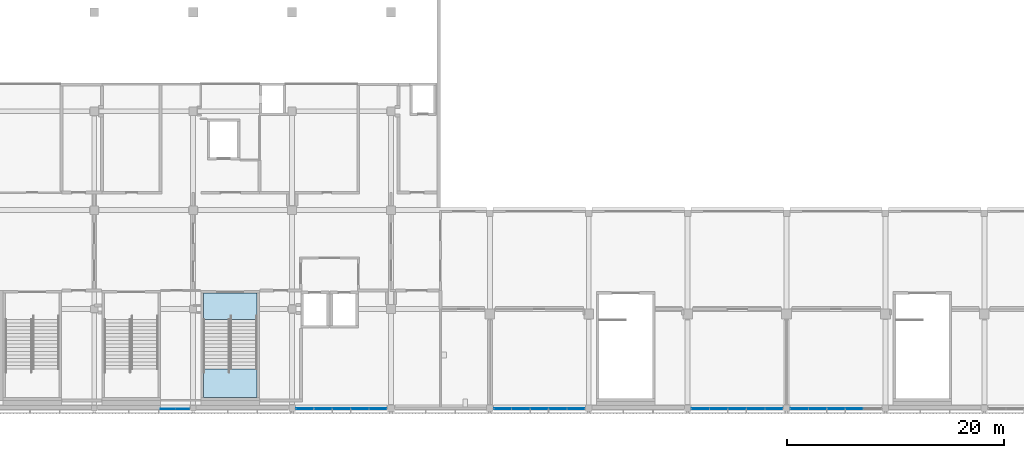
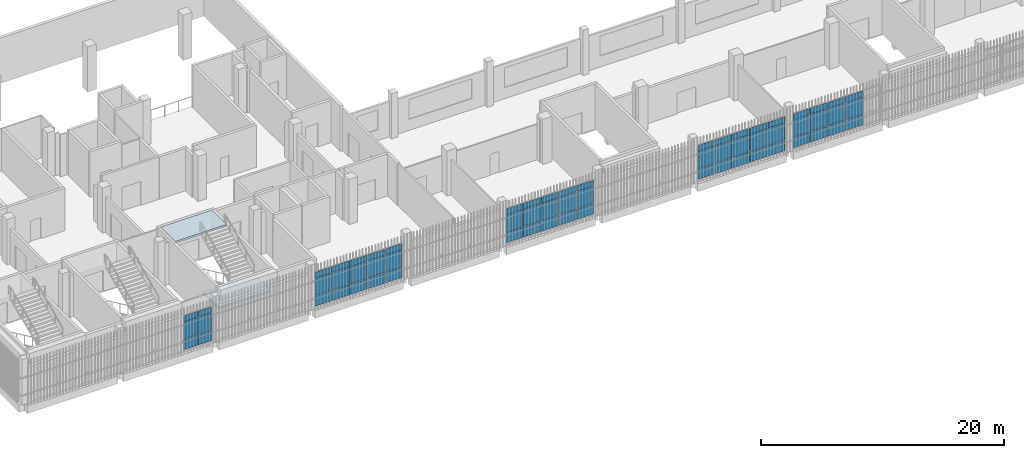
# One storey, part 44 of 104: 63 plates, 2 slabs, 6 elements without a shape of their own.
"""IFC4 building model written with IfcOpenShell, lengths in metres."""

from ifc_helpers import new_model, si_unit, direction, frame, origin, origin_2d, place, context, subcontext, project, spatial, polyline, rectangle, outline, extrude, material, layer, layer_set, type_object, element, aggregate, save


model = new_model("IFC4")

# Units and contexts
model_context = context("Model", 3, precision=1e-05, world=origin(), true_north=direction((0.0, 1.0)))
body_context = subcontext(model_context, "Body", "Model", "MODEL_VIEW")
ifc_project = project(units=[si_unit("LENGTHUNIT", "METRE"), si_unit("AREAUNIT", "SQUARE_METRE"), si_unit("VOLUMEUNIT", "CUBIC_METRE"), si_unit("PLANEANGLEUNIT", "RADIAN"), si_unit("MASSUNIT", "GRAM", prefix="KILO")], contexts=[model_context])

# Site, building, storey
site_placement = place(None, origin())
site = spatial("IfcSite", under=ifc_project, at=site_placement, CompositionType="ELEMENT")
building_placement = place(site_placement, origin())
building = spatial("IfcBuilding", under=site, at=building_placement, Name="Shirokan Park Arena", CompositionType="ELEMENT")
storey_placement = place(building_placement, frame((0.0, 0.0, 10.919921875)))
storey = spatial("IfcBuildingStorey", under=building, at=storey_placement, Name="L02", CompositionType="ELEMENT", Elevation=10.919921875)

# Curtain wall, plates
ifc_material_1 = material(Name="Steel and glass curtain wall", Category="steel")
ifc_layer_1 = layer(ifc_material_1, 0.1201171875)
ifc_layer_set_1 = layer_set([ifc_layer_1], Name="Steel and glass curtain wall 120 mm")
curtain_wall_type_1 = type_object("IfcCurtainWallType", Name="Curtain wall corner block side bay 120", PredefinedType="NOTDEFINED", material=ifc_layer_set_1)
curtain_wall_1_placement = place(storey_placement, origin())
curtain_wall_1 = element("IfcCurtainWall", 1, at=curtain_wall_1_placement, inside=storey, type_object=curtain_wall_type_1, Name="Curtain wall south bay 2 L02", PredefinedType="NOTDEFINED")
ifc_material_2 = material(Name="Aluminium sheet", Category="aluminium")
ifc_layer_2 = layer(ifc_material_2, 0.0029296875, Name="Aluminium sheet")
ifc_material_3 = material(Name="Mineral wool insulation")
ifc_layer_3 = layer(ifc_material_3, 0.053955078125, Name="Mineral wool insulation")
ifc_layer_4 = layer(ifc_material_2, 0.0029296875, Name="Aluminium sheet")
ifc_layer_set_2 = layer_set([ifc_layer_2, ifc_layer_3, ifc_layer_4], Name="Aluminium sheet + Mineral wool insulation")
plate_type_1 = type_object("IfcPlateType", Name="Insulated spandrel panel 60", PredefinedType="CURTAIN_PANEL", material=ifc_layer_set_2)
plate_1_placement = place(storey_placement, frame((15.875, -0.090087890625, 2.8701171875), z_axis=(0.0, 0.0, 1.0), x_axis=(1.0, 0.0, 0.0)))
plate_1 = element("IfcPlate", 2, at=plate_1_placement, type_object=plate_type_1, Name="CW3 panel 1.3", PredefinedType="CURTAIN_PANEL", context=body_context, shape_type="SweptSolid", body=[
    extrude(rectangle(XDim=1.35009765625, YDim=0.06005859375, at=origin_2d()), origin(), (0.0, 0.0, 1.0), 0.590087890625),
])
plate_2_placement = place(storey_placement, frame((17.22509765625, -0.090087890625, 2.8701171875), z_axis=(0.0, 0.0, 1.0), x_axis=(1.0, 0.0, 0.0)))
plate_2 = element("IfcPlate", 3, at=plate_2_placement, type_object=plate_type_1, Name="CW3 panel 2.3", PredefinedType="CURTAIN_PANEL", context=body_context, shape_type="SweptSolid", body=[
    extrude(rectangle(XDim=1.25, YDim=0.06005859375, at=origin_2d()), origin(), (0.0, 0.0, 1.0), 0.590087890625),
])

ifc_layer_5 = layer(ifc_material_1, 0.14990234375)
ifc_layer_set_3 = layer_set([ifc_layer_5], Name="Steel and glass curtain wall 150 mm")
curtain_wall_type_2 = type_object("IfcCurtainWallType", Name="Curtain wall exposed bay 150", PredefinedType="NOTDEFINED", material=ifc_layer_set_3)
curtain_wall_2_placement = place(storey_placement, origin())
curtain_wall_2 = element("IfcCurtainWall", 4, at=curtain_wall_2_placement, inside=storey, type_object=curtain_wall_type_2, Name="Curtain wall south bay 4 L02", PredefinedType="NOTDEFINED")
plate_3_placement = place(storey_placement, frame((28.485107421875, -0.074951171875, 2.8701171875), z_axis=(0.0, 0.0, 1.0), x_axis=(1.0, 0.0, 0.0)))
plate_3 = element("IfcPlate", 5, at=plate_3_placement, type_object=plate_type_1, Name="CW1 panel 1.3", PredefinedType="CURTAIN_PANEL", context=body_context, shape_type="SweptSolid", body=[
    extrude(rectangle(XDim=1.570068359375, YDim=0.06005859375, at=origin_2d()), origin(), (0.0, 0.0, 1.0), 0.590087890625),
])
plate_4_placement = place(storey_placement, frame((30.142578125, -0.074951171875, 2.8701171875), z_axis=(0.0, 0.0, 1.0), x_axis=(1.0, 0.0, 0.0)))
plate_4 = element("IfcPlate", 6, at=plate_4_placement, type_object=plate_type_1, Name="CW1 panel 2.3", PredefinedType="CURTAIN_PANEL", context=body_context, shape_type="SweptSolid", body=[
    extrude(rectangle(XDim=1.64501953125, YDim=0.06005859375, at=origin_2d()), origin(), (0.0, 0.0, 1.0), 0.590087890625),
])
plate_5_placement = place(storey_placement, frame((31.83740234375, -0.074951171875, 2.8701171875), z_axis=(0.0, 0.0, 1.0), x_axis=(1.0, 0.0, 0.0)))
plate_5 = element("IfcPlate", 7, at=plate_5_placement, type_object=plate_type_1, Name="CW1 panel 3.3", PredefinedType="CURTAIN_PANEL", context=body_context, shape_type="SweptSolid", body=[
    extrude(rectangle(XDim=1.64501953125, YDim=0.06005859375, at=origin_2d()), origin(), (0.0, 0.0, 1.0), 0.590087890625),
])
plate_6_placement = place(storey_placement, frame((33.532470703125, -0.074951171875, 2.8701171875), z_axis=(0.0, 0.0, 1.0), x_axis=(1.0, 0.0, 0.0)))
plate_6 = element("IfcPlate", 8, at=plate_6_placement, type_object=plate_type_1, Name="CW1 panel 4.3", PredefinedType="CURTAIN_PANEL", context=body_context, shape_type="SweptSolid", body=[
    extrude(rectangle(XDim=1.64501953125, YDim=0.06005859375, at=origin_2d()), origin(), (0.0, 0.0, 1.0), 0.590087890625),
])
plate_7_placement = place(storey_placement, frame((35.18994140625, -0.074951171875, 2.8701171875), z_axis=(0.0, 0.0, 1.0), x_axis=(1.0, 0.0, 0.0)))
plate_7 = element("IfcPlate", 9, at=plate_7_placement, type_object=plate_type_1, Name="CW1 panel 5.3", PredefinedType="CURTAIN_PANEL", context=body_context, shape_type="SweptSolid", body=[
    extrude(rectangle(XDim=1.570068359375, YDim=0.06005859375, at=origin_2d()), origin(), (0.0, 0.0, 1.0), 0.590087890625),
])

curtain_wall_3_placement = place(storey_placement, origin())
curtain_wall_3 = element("IfcCurtainWall", 10, at=curtain_wall_3_placement, inside=storey, type_object=curtain_wall_type_2, Name="Curtain wall south bay 6 L02", PredefinedType="NOTDEFINED")
plate_8_placement = place(storey_placement, frame((46.6875, -0.074951171875, 2.8701171875), z_axis=(0.0, 0.0, 1.0), x_axis=(1.0, 0.0, 0.0)))
plate_8 = element("IfcPlate", 11, at=plate_8_placement, type_object=plate_type_1, Name="CW1 panel 1.3", PredefinedType="CURTAIN_PANEL", context=body_context, shape_type="SweptSolid", body=[
    extrude(rectangle(XDim=1.574951171875, YDim=0.06005859375, at=origin_2d()), origin(), (0.0, 0.0, 1.0), 0.590087890625),
])
plate_9_placement = place(storey_placement, frame((48.35009765625, -0.074951171875, 2.8701171875), z_axis=(0.0, 0.0, 1.0), x_axis=(1.0, 0.0, 0.0)))
plate_9 = element("IfcPlate", 12, at=plate_9_placement, type_object=plate_type_1, Name="CW1 panel 2.3", PredefinedType="CURTAIN_PANEL", context=body_context, shape_type="SweptSolid", body=[
    extrude(rectangle(XDim=1.64990234375, YDim=0.06005859375, at=origin_2d()), origin(), (0.0, 0.0, 1.0), 0.590087890625),
])
plate_10_placement = place(storey_placement, frame((50.050048828125, -0.074951171875, 2.8701171875), z_axis=(0.0, 0.0, 1.0), x_axis=(1.0, 0.0, 0.0)))
plate_10 = element("IfcPlate", 13, at=plate_10_placement, type_object=plate_type_1, Name="CW1 panel 3.3", PredefinedType="CURTAIN_PANEL", context=body_context, shape_type="SweptSolid", body=[
    extrude(rectangle(XDim=1.64990234375, YDim=0.06005859375, at=origin_2d()), origin(), (0.0, 0.0, 1.0), 0.590087890625),
])
plate_11_placement = place(storey_placement, frame((51.75, -0.074951171875, 2.8701171875), z_axis=(0.0, 0.0, 1.0), x_axis=(1.0, 0.0, 0.0)))
plate_11 = element("IfcPlate", 14, at=plate_11_placement, type_object=plate_type_1, Name="CW1 panel 4.3", PredefinedType="CURTAIN_PANEL", context=body_context, shape_type="SweptSolid", body=[
    extrude(rectangle(XDim=1.64990234375, YDim=0.06005859375, at=origin_2d()), origin(), (0.0, 0.0, 1.0), 0.590087890625),
])
plate_12_placement = place(storey_placement, frame((53.41259765625, -0.074951171875, 2.8701171875), z_axis=(0.0, 0.0, 1.0), x_axis=(1.0, 0.0, 0.0)))
plate_12 = element("IfcPlate", 15, at=plate_12_placement, type_object=plate_type_1, Name="CW1 panel 5.3", PredefinedType="CURTAIN_PANEL", context=body_context, shape_type="SweptSolid", body=[
    extrude(rectangle(XDim=1.574951171875, YDim=0.06005859375, at=origin_2d()), origin(), (0.0, 0.0, 1.0), 0.590087890625),
])

curtain_wall_4_placement = place(storey_placement, origin())
curtain_wall_4 = element("IfcCurtainWall", 16, at=curtain_wall_4_placement, inside=storey, type_object=curtain_wall_type_2, Name="Curtain wall south bay 8 L02", PredefinedType="NOTDEFINED")
plate_13_placement = place(storey_placement, frame((64.887451171875, -0.074951171875, 2.8701171875), z_axis=(0.0, 0.0, 1.0), x_axis=(1.0, 0.0, 0.0)))
plate_13 = element("IfcPlate", 17, at=plate_13_placement, type_object=plate_type_1, Name="CW1 panel 1.3", PredefinedType="CURTAIN_PANEL", context=body_context, shape_type="SweptSolid", body=[
    extrude(rectangle(XDim=1.574951171875, YDim=0.06005859375, at=origin_2d()), origin(), (0.0, 0.0, 1.0), 0.590087890625),
])
plate_14_placement = place(storey_placement, frame((66.550048828125, -0.074951171875, 2.8701171875), z_axis=(0.0, 0.0, 1.0), x_axis=(1.0, 0.0, 0.0)))
plate_14 = element("IfcPlate", 18, at=plate_14_placement, type_object=plate_type_1, Name="CW1 panel 2.3", PredefinedType="CURTAIN_PANEL", context=body_context, shape_type="SweptSolid", body=[
    extrude(rectangle(XDim=1.64990234375, YDim=0.06005859375, at=origin_2d()), origin(), (0.0, 0.0, 1.0), 0.590087890625),
])
plate_15_placement = place(storey_placement, frame((68.25, -0.074951171875, 2.8701171875), z_axis=(0.0, 0.0, 1.0), x_axis=(1.0, 0.0, 0.0)))
plate_15 = element("IfcPlate", 19, at=plate_15_placement, type_object=plate_type_1, Name="CW1 panel 3.3", PredefinedType="CURTAIN_PANEL", context=body_context, shape_type="SweptSolid", body=[
    extrude(rectangle(XDim=1.64990234375, YDim=0.06005859375, at=origin_2d()), origin(), (0.0, 0.0, 1.0), 0.590087890625),
])
plate_16_placement = place(storey_placement, frame((69.949951171875, -0.074951171875, 2.8701171875), z_axis=(0.0, 0.0, 1.0), x_axis=(1.0, 0.0, 0.0)))
plate_16 = element("IfcPlate", 20, at=plate_16_placement, type_object=plate_type_1, Name="CW1 panel 4.3", PredefinedType="CURTAIN_PANEL", context=body_context, shape_type="SweptSolid", body=[
    extrude(rectangle(XDim=1.64990234375, YDim=0.06005859375, at=origin_2d()), origin(), (0.0, 0.0, 1.0), 0.590087890625),
])
plate_17_placement = place(storey_placement, frame((71.612548828125, -0.074951171875, 2.8701171875), z_axis=(0.0, 0.0, 1.0), x_axis=(1.0, 0.0, 0.0)))
plate_17 = element("IfcPlate", 21, at=plate_17_placement, type_object=plate_type_1, Name="CW1 panel 5.3", PredefinedType="CURTAIN_PANEL", context=body_context, shape_type="SweptSolid", body=[
    extrude(rectangle(XDim=1.574951171875, YDim=0.06005859375, at=origin_2d()), origin(), (0.0, 0.0, 1.0), 0.590087890625),
])

curtain_wall_5_placement = place(storey_placement, origin())
curtain_wall_5 = element("IfcCurtainWall", 22, at=curtain_wall_5_placement, inside=storey, type_object=curtain_wall_type_2, Name="Curtain wall south bay 9 L02", PredefinedType="NOTDEFINED")
plate_18_placement = place(storey_placement, frame((73.987548828125, -0.074951171875, 2.8701171875), z_axis=(0.0, 0.0, 1.0), x_axis=(1.0, 0.0, 0.0)))
plate_18 = element("IfcPlate", 23, at=plate_18_placement, type_object=plate_type_1, Name="CW1 panel 1.3", PredefinedType="CURTAIN_PANEL", context=body_context, shape_type="SweptSolid", body=[
    extrude(rectangle(XDim=1.574951171875, YDim=0.06005859375, at=origin_2d()), origin(), (0.0, 0.0, 1.0), 0.590087890625),
])
plate_19_placement = place(storey_placement, frame((75.64990234375, -0.074951171875, 2.8701171875), z_axis=(0.0, 0.0, 1.0), x_axis=(1.0, 0.0, 0.0)))
plate_19 = element("IfcPlate", 24, at=plate_19_placement, type_object=plate_type_1, Name="CW1 panel 2.3", PredefinedType="CURTAIN_PANEL", context=body_context, shape_type="SweptSolid", body=[
    extrude(rectangle(XDim=1.64990234375, YDim=0.06005859375, at=origin_2d()), origin(), (0.0, 0.0, 1.0), 0.590087890625),
])
plate_20_placement = place(storey_placement, frame((77.35009765625, -0.074951171875, 2.8701171875), z_axis=(0.0, 0.0, 1.0), x_axis=(1.0, 0.0, 0.0)))
plate_20 = element("IfcPlate", 25, at=plate_20_placement, type_object=plate_type_1, Name="CW1 panel 3.3", PredefinedType="CURTAIN_PANEL", context=body_context, shape_type="SweptSolid", body=[
    extrude(rectangle(XDim=1.64990234375, YDim=0.06005859375, at=origin_2d()), origin(), (0.0, 0.0, 1.0), 0.590087890625),
])
plate_21_placement = place(storey_placement, frame((79.050048828125, -0.074951171875, 2.8701171875), z_axis=(0.0, 0.0, 1.0), x_axis=(1.0, 0.0, 0.0)))
plate_21 = element("IfcPlate", 26, at=plate_21_placement, type_object=plate_type_1, Name="CW1 panel 4.3", PredefinedType="CURTAIN_PANEL", context=body_context, shape_type="SweptSolid", body=[
    extrude(rectangle(XDim=1.64990234375, YDim=0.06005859375, at=origin_2d()), origin(), (0.0, 0.0, 1.0), 0.590087890625),
])

# Plate
ifc_material_4 = material(Name="Toughened glass", Category="glass")
ifc_layer_6 = layer(ifc_material_4, 0.012939453125, Name="Toughened glass")
ifc_material_5 = material(Name="Interlayer film")
ifc_layer_7 = layer(ifc_material_5, 0.001953125, Name="Interlayer film")
ifc_layer_8 = layer(ifc_material_4, 0.012939453125, Name="Toughened glass")
ifc_layer_set_4 = layer_set([ifc_layer_6, ifc_layer_7, ifc_layer_8], Name="Toughened glass + Interlayer film")
plate_type_2 = type_object("IfcPlateType", Name="Laminated glass panel 28", PredefinedType="CURTAIN_PANEL", material=ifc_layer_set_4)
plate_22_placement = place(storey_placement, frame((15.875, -0.090087890625, 1.1201171875), z_axis=(0.0, 0.0, 1.0), x_axis=(1.0, 0.0, 0.0)))
plate_22 = element("IfcPlate", 27, at=plate_22_placement, type_object=plate_type_2, Name="CW3 panel 1.2", PredefinedType="CURTAIN_PANEL", context=body_context, shape_type="SweptSolid", body=[
    extrude(rectangle(XDim=1.35009765625, YDim=0.028076171875, at=origin_2d()), origin(), (0.0, 0.0, 1.0), 1.7099609375),
])

plate_23_placement = place(storey_placement, frame((17.22509765625, -0.090087890625, 1.1201171875), z_axis=(0.0, 0.0, 1.0), x_axis=(1.0, 0.0, 0.0)))
plate_23 = element("IfcPlate", 28, at=plate_23_placement, type_object=plate_type_2, Name="CW3 panel 2.2", PredefinedType="CURTAIN_PANEL", context=body_context, shape_type="SweptSolid", body=[
    extrude(rectangle(XDim=1.25, YDim=0.028076171875, at=origin_2d()), origin(), (0.0, 0.0, 1.0), 1.7099609375),
])

plate_24_placement = place(storey_placement, frame((28.485107421875, -0.074951171875, 1.1201171875), z_axis=(0.0, 0.0, 1.0), x_axis=(1.0, 0.0, 0.0)))
plate_24 = element("IfcPlate", 29, at=plate_24_placement, type_object=plate_type_2, Name="CW1 panel 1.2", PredefinedType="CURTAIN_PANEL", context=body_context, shape_type="SweptSolid", body=[
    extrude(rectangle(XDim=1.570068359375, YDim=0.028076171875, at=origin_2d()), origin(), (0.0, 0.0, 1.0), 1.7099609375),
])

plate_25_placement = place(storey_placement, frame((30.142578125, -0.074951171875, 1.1201171875), z_axis=(0.0, 0.0, 1.0), x_axis=(1.0, 0.0, 0.0)))
plate_25 = element("IfcPlate", 30, at=plate_25_placement, type_object=plate_type_2, Name="CW1 panel 2.2", PredefinedType="CURTAIN_PANEL", context=body_context, shape_type="SweptSolid", body=[
    extrude(rectangle(XDim=1.64501953125, YDim=0.028076171875, at=origin_2d()), origin(), (0.0, 0.0, 1.0), 1.7099609375),
])

plate_26_placement = place(storey_placement, frame((31.83740234375, -0.074951171875, 1.1201171875), z_axis=(0.0, 0.0, 1.0), x_axis=(1.0, 0.0, 0.0)))
plate_26 = element("IfcPlate", 31, at=plate_26_placement, type_object=plate_type_2, Name="CW1 panel 3.2", PredefinedType="CURTAIN_PANEL", context=body_context, shape_type="SweptSolid", body=[
    extrude(rectangle(XDim=1.64501953125, YDim=0.028076171875, at=origin_2d()), origin(), (0.0, 0.0, 1.0), 1.7099609375),
])

plate_27_placement = place(storey_placement, frame((33.532470703125, -0.074951171875, 1.1201171875), z_axis=(0.0, 0.0, 1.0), x_axis=(1.0, 0.0, 0.0)))
plate_27 = element("IfcPlate", 32, at=plate_27_placement, type_object=plate_type_2, Name="CW1 panel 4.2", PredefinedType="CURTAIN_PANEL", context=body_context, shape_type="SweptSolid", body=[
    extrude(rectangle(XDim=1.64501953125, YDim=0.028076171875, at=origin_2d()), origin(), (0.0, 0.0, 1.0), 1.7099609375),
])

plate_28_placement = place(storey_placement, frame((35.18994140625, -0.074951171875, 1.1201171875), z_axis=(0.0, 0.0, 1.0), x_axis=(1.0, 0.0, 0.0)))
plate_28 = element("IfcPlate", 33, at=plate_28_placement, type_object=plate_type_2, Name="CW1 panel 5.2", PredefinedType="CURTAIN_PANEL", context=body_context, shape_type="SweptSolid", body=[
    extrude(rectangle(XDim=1.570068359375, YDim=0.028076171875, at=origin_2d()), origin(), (0.0, 0.0, 1.0), 1.7099609375),
])

plate_29_placement = place(storey_placement, frame((46.6875, -0.074951171875, 1.1201171875), z_axis=(0.0, 0.0, 1.0), x_axis=(1.0, 0.0, 0.0)))
plate_29 = element("IfcPlate", 34, at=plate_29_placement, type_object=plate_type_2, Name="CW1 panel 1.2", PredefinedType="CURTAIN_PANEL", context=body_context, shape_type="SweptSolid", body=[
    extrude(rectangle(XDim=1.574951171875, YDim=0.028076171875, at=origin_2d()), origin(), (0.0, 0.0, 1.0), 1.7099609375),
])

plate_30_placement = place(storey_placement, frame((48.35009765625, -0.074951171875, 1.1201171875), z_axis=(0.0, 0.0, 1.0), x_axis=(1.0, 0.0, 0.0)))
plate_30 = element("IfcPlate", 35, at=plate_30_placement, type_object=plate_type_2, Name="CW1 panel 2.2", PredefinedType="CURTAIN_PANEL", context=body_context, shape_type="SweptSolid", body=[
    extrude(rectangle(XDim=1.64990234375, YDim=0.028076171875, at=origin_2d()), origin(), (0.0, 0.0, 1.0), 1.7099609375),
])

plate_31_placement = place(storey_placement, frame((50.050048828125, -0.074951171875, 1.1201171875), z_axis=(0.0, 0.0, 1.0), x_axis=(1.0, 0.0, 0.0)))
plate_31 = element("IfcPlate", 36, at=plate_31_placement, type_object=plate_type_2, Name="CW1 panel 3.2", PredefinedType="CURTAIN_PANEL", context=body_context, shape_type="SweptSolid", body=[
    extrude(rectangle(XDim=1.64990234375, YDim=0.028076171875, at=origin_2d()), origin(), (0.0, 0.0, 1.0), 1.7099609375),
])

plate_32_placement = place(storey_placement, frame((51.75, -0.074951171875, 1.1201171875), z_axis=(0.0, 0.0, 1.0), x_axis=(1.0, 0.0, 0.0)))
plate_32 = element("IfcPlate", 37, at=plate_32_placement, type_object=plate_type_2, Name="CW1 panel 4.2", PredefinedType="CURTAIN_PANEL", context=body_context, shape_type="SweptSolid", body=[
    extrude(rectangle(XDim=1.64990234375, YDim=0.028076171875, at=origin_2d()), origin(), (0.0, 0.0, 1.0), 1.7099609375),
])

plate_33_placement = place(storey_placement, frame((53.41259765625, -0.074951171875, 1.1201171875), z_axis=(0.0, 0.0, 1.0), x_axis=(1.0, 0.0, 0.0)))
plate_33 = element("IfcPlate", 38, at=plate_33_placement, type_object=plate_type_2, Name="CW1 panel 5.2", PredefinedType="CURTAIN_PANEL", context=body_context, shape_type="SweptSolid", body=[
    extrude(rectangle(XDim=1.574951171875, YDim=0.028076171875, at=origin_2d()), origin(), (0.0, 0.0, 1.0), 1.7099609375),
])

plate_34_placement = place(storey_placement, frame((64.887451171875, -0.074951171875, 1.1201171875), z_axis=(0.0, 0.0, 1.0), x_axis=(1.0, 0.0, 0.0)))
plate_34 = element("IfcPlate", 39, at=plate_34_placement, type_object=plate_type_2, Name="CW1 panel 1.2", PredefinedType="CURTAIN_PANEL", context=body_context, shape_type="SweptSolid", body=[
    extrude(rectangle(XDim=1.574951171875, YDim=0.028076171875, at=origin_2d()), origin(), (0.0, 0.0, 1.0), 1.7099609375),
])

plate_35_placement = place(storey_placement, frame((66.550048828125, -0.074951171875, 1.1201171875), z_axis=(0.0, 0.0, 1.0), x_axis=(1.0, 0.0, 0.0)))
plate_35 = element("IfcPlate", 40, at=plate_35_placement, type_object=plate_type_2, Name="CW1 panel 2.2", PredefinedType="CURTAIN_PANEL", context=body_context, shape_type="SweptSolid", body=[
    extrude(rectangle(XDim=1.64990234375, YDim=0.028076171875, at=origin_2d()), origin(), (0.0, 0.0, 1.0), 1.7099609375),
])

plate_36_placement = place(storey_placement, frame((68.25, -0.074951171875, 1.1201171875), z_axis=(0.0, 0.0, 1.0), x_axis=(1.0, 0.0, 0.0)))
plate_36 = element("IfcPlate", 41, at=plate_36_placement, type_object=plate_type_2, Name="CW1 panel 3.2", PredefinedType="CURTAIN_PANEL", context=body_context, shape_type="SweptSolid", body=[
    extrude(rectangle(XDim=1.64990234375, YDim=0.028076171875, at=origin_2d()), origin(), (0.0, 0.0, 1.0), 1.7099609375),
])

plate_37_placement = place(storey_placement, frame((69.949951171875, -0.074951171875, 1.1201171875), z_axis=(0.0, 0.0, 1.0), x_axis=(1.0, 0.0, 0.0)))
plate_37 = element("IfcPlate", 42, at=plate_37_placement, type_object=plate_type_2, Name="CW1 panel 4.2", PredefinedType="CURTAIN_PANEL", context=body_context, shape_type="SweptSolid", body=[
    extrude(rectangle(XDim=1.64990234375, YDim=0.028076171875, at=origin_2d()), origin(), (0.0, 0.0, 1.0), 1.7099609375),
])

plate_38_placement = place(storey_placement, frame((71.612548828125, -0.074951171875, 1.1201171875), z_axis=(0.0, 0.0, 1.0), x_axis=(1.0, 0.0, 0.0)))
plate_38 = element("IfcPlate", 43, at=plate_38_placement, type_object=plate_type_2, Name="CW1 panel 5.2", PredefinedType="CURTAIN_PANEL", context=body_context, shape_type="SweptSolid", body=[
    extrude(rectangle(XDim=1.574951171875, YDim=0.028076171875, at=origin_2d()), origin(), (0.0, 0.0, 1.0), 1.7099609375),
])

plate_39_placement = place(storey_placement, frame((73.987548828125, -0.074951171875, 1.1201171875), z_axis=(0.0, 0.0, 1.0), x_axis=(1.0, 0.0, 0.0)))
plate_39 = element("IfcPlate", 44, at=plate_39_placement, type_object=plate_type_2, Name="CW1 panel 1.2", PredefinedType="CURTAIN_PANEL", context=body_context, shape_type="SweptSolid", body=[
    extrude(rectangle(XDim=1.574951171875, YDim=0.028076171875, at=origin_2d()), origin(), (0.0, 0.0, 1.0), 1.7099609375),
])

plate_40_placement = place(storey_placement, frame((75.64990234375, -0.074951171875, 1.1201171875), z_axis=(0.0, 0.0, 1.0), x_axis=(1.0, 0.0, 0.0)))
plate_40 = element("IfcPlate", 45, at=plate_40_placement, type_object=plate_type_2, Name="CW1 panel 2.2", PredefinedType="CURTAIN_PANEL", context=body_context, shape_type="SweptSolid", body=[
    extrude(rectangle(XDim=1.64990234375, YDim=0.028076171875, at=origin_2d()), origin(), (0.0, 0.0, 1.0), 1.7099609375),
])

plate_41_placement = place(storey_placement, frame((77.35009765625, -0.074951171875, 1.1201171875), z_axis=(0.0, 0.0, 1.0), x_axis=(1.0, 0.0, 0.0)))
plate_41 = element("IfcPlate", 46, at=plate_41_placement, type_object=plate_type_2, Name="CW1 panel 3.2", PredefinedType="CURTAIN_PANEL", context=body_context, shape_type="SweptSolid", body=[
    extrude(rectangle(XDim=1.64990234375, YDim=0.028076171875, at=origin_2d()), origin(), (0.0, 0.0, 1.0), 1.7099609375),
])

plate_42_placement = place(storey_placement, frame((79.050048828125, -0.074951171875, 1.1201171875), z_axis=(0.0, 0.0, 1.0), x_axis=(1.0, 0.0, 0.0)))
plate_42 = element("IfcPlate", 47, at=plate_42_placement, type_object=plate_type_2, Name="CW1 panel 4.2", PredefinedType="CURTAIN_PANEL", context=body_context, shape_type="SweptSolid", body=[
    extrude(rectangle(XDim=1.64990234375, YDim=0.028076171875, at=origin_2d()), origin(), (0.0, 0.0, 1.0), 1.7099609375),
])

ifc_layer_9 = layer(ifc_material_4, 0.01708984375, Name="Toughened glass")
ifc_layer_10 = layer(ifc_material_5, 0.001953125, Name="Interlayer film")
ifc_layer_11 = layer(ifc_material_4, 0.01708984375, Name="Toughened glass")
ifc_layer_set_5 = layer_set([ifc_layer_9, ifc_layer_10, ifc_layer_11], Name="Toughened glass + Interlayer film")
plate_type_3 = type_object("IfcPlateType", Name="Laminated safety glass panel 36", PredefinedType="CURTAIN_PANEL", material=ifc_layer_set_5)
plate_43_placement = place(storey_placement, frame((15.875, -0.090087890625, 0.0400390625), z_axis=(0.0, 0.0, 1.0), x_axis=(1.0, 0.0, 0.0)))
plate_43 = element("IfcPlate", 48, at=plate_43_placement, type_object=plate_type_3, Name="CW3 panel 1.1", PredefinedType="CURTAIN_PANEL", context=body_context, shape_type="SweptSolid", body=[
    extrude(rectangle(XDim=1.35009765625, YDim=0.035888671875, at=origin_2d()), origin(), (0.0, 0.0, 1.0), 1.0400390625),
])

plate_44_placement = place(storey_placement, frame((17.22509765625, -0.090087890625, 0.0400390625), z_axis=(0.0, 0.0, 1.0), x_axis=(1.0, 0.0, 0.0)))
plate_44 = element("IfcPlate", 49, at=plate_44_placement, type_object=plate_type_3, Name="CW3 panel 2.1", PredefinedType="CURTAIN_PANEL", context=body_context, shape_type="SweptSolid", body=[
    extrude(rectangle(XDim=1.25, YDim=0.035888671875, at=origin_2d()), origin(), (0.0, 0.0, 1.0), 1.0400390625),
])

aggregate(curtain_wall_1, [plate_43, plate_22, plate_1, plate_44, plate_23, plate_2])

plate_45_placement = place(storey_placement, frame((28.485107421875, -0.074951171875, 0.0400390625), z_axis=(0.0, 0.0, 1.0), x_axis=(1.0, 0.0, 0.0)))
plate_45 = element("IfcPlate", 50, at=plate_45_placement, type_object=plate_type_3, Name="CW1 panel 1.1", PredefinedType="CURTAIN_PANEL", context=body_context, shape_type="SweptSolid", body=[
    extrude(rectangle(XDim=1.570068359375, YDim=0.035888671875, at=origin_2d()), origin(), (0.0, 0.0, 1.0), 1.0400390625),
])

plate_46_placement = place(storey_placement, frame((30.142578125, -0.074951171875, 0.0400390625), z_axis=(0.0, 0.0, 1.0), x_axis=(1.0, 0.0, 0.0)))
plate_46 = element("IfcPlate", 51, at=plate_46_placement, type_object=plate_type_3, Name="CW1 panel 2.1", PredefinedType="CURTAIN_PANEL", context=body_context, shape_type="SweptSolid", body=[
    extrude(rectangle(XDim=1.64501953125, YDim=0.035888671875, at=origin_2d()), origin(), (0.0, 0.0, 1.0), 1.0400390625),
])

plate_47_placement = place(storey_placement, frame((31.83740234375, -0.074951171875, 0.0400390625), z_axis=(0.0, 0.0, 1.0), x_axis=(1.0, 0.0, 0.0)))
plate_47 = element("IfcPlate", 52, at=plate_47_placement, type_object=plate_type_3, Name="CW1 panel 3.1", PredefinedType="CURTAIN_PANEL", context=body_context, shape_type="SweptSolid", body=[
    extrude(rectangle(XDim=1.64501953125, YDim=0.035888671875, at=origin_2d()), origin(), (0.0, 0.0, 1.0), 1.0400390625),
])

plate_48_placement = place(storey_placement, frame((33.532470703125, -0.074951171875, 0.0400390625), z_axis=(0.0, 0.0, 1.0), x_axis=(1.0, 0.0, 0.0)))
plate_48 = element("IfcPlate", 53, at=plate_48_placement, type_object=plate_type_3, Name="CW1 panel 4.1", PredefinedType="CURTAIN_PANEL", context=body_context, shape_type="SweptSolid", body=[
    extrude(rectangle(XDim=1.64501953125, YDim=0.035888671875, at=origin_2d()), origin(), (0.0, 0.0, 1.0), 1.0400390625),
])

plate_49_placement = place(storey_placement, frame((35.18994140625, -0.074951171875, 0.0400390625), z_axis=(0.0, 0.0, 1.0), x_axis=(1.0, 0.0, 0.0)))
plate_49 = element("IfcPlate", 54, at=plate_49_placement, type_object=plate_type_3, Name="CW1 panel 5.1", PredefinedType="CURTAIN_PANEL", context=body_context, shape_type="SweptSolid", body=[
    extrude(rectangle(XDim=1.570068359375, YDim=0.035888671875, at=origin_2d()), origin(), (0.0, 0.0, 1.0), 1.0400390625),
])

aggregate(curtain_wall_2, [plate_45, plate_24, plate_3, plate_46, plate_25, plate_4, plate_47, plate_26, plate_5, plate_48, plate_27, plate_6, plate_49, plate_28, plate_7])

plate_50_placement = place(storey_placement, frame((46.6875, -0.074951171875, 0.0400390625), z_axis=(0.0, 0.0, 1.0), x_axis=(1.0, 0.0, 0.0)))
plate_50 = element("IfcPlate", 55, at=plate_50_placement, type_object=plate_type_3, Name="CW1 panel 1.1", PredefinedType="CURTAIN_PANEL", context=body_context, shape_type="SweptSolid", body=[
    extrude(rectangle(XDim=1.574951171875, YDim=0.035888671875, at=origin_2d()), origin(), (0.0, 0.0, 1.0), 1.0400390625),
])

plate_51_placement = place(storey_placement, frame((48.35009765625, -0.074951171875, 0.0400390625), z_axis=(0.0, 0.0, 1.0), x_axis=(1.0, 0.0, 0.0)))
plate_51 = element("IfcPlate", 56, at=plate_51_placement, type_object=plate_type_3, Name="CW1 panel 2.1", PredefinedType="CURTAIN_PANEL", context=body_context, shape_type="SweptSolid", body=[
    extrude(rectangle(XDim=1.64990234375, YDim=0.035888671875, at=origin_2d()), origin(), (0.0, 0.0, 1.0), 1.0400390625),
])

plate_52_placement = place(storey_placement, frame((50.050048828125, -0.074951171875, 0.0400390625), z_axis=(0.0, 0.0, 1.0), x_axis=(1.0, 0.0, 0.0)))
plate_52 = element("IfcPlate", 57, at=plate_52_placement, type_object=plate_type_3, Name="CW1 panel 3.1", PredefinedType="CURTAIN_PANEL", context=body_context, shape_type="SweptSolid", body=[
    extrude(rectangle(XDim=1.64990234375, YDim=0.035888671875, at=origin_2d()), origin(), (0.0, 0.0, 1.0), 1.0400390625),
])

plate_53_placement = place(storey_placement, frame((51.75, -0.074951171875, 0.0400390625), z_axis=(0.0, 0.0, 1.0), x_axis=(1.0, 0.0, 0.0)))
plate_53 = element("IfcPlate", 58, at=plate_53_placement, type_object=plate_type_3, Name="CW1 panel 4.1", PredefinedType="CURTAIN_PANEL", context=body_context, shape_type="SweptSolid", body=[
    extrude(rectangle(XDim=1.64990234375, YDim=0.035888671875, at=origin_2d()), origin(), (0.0, 0.0, 1.0), 1.0400390625),
])

plate_54_placement = place(storey_placement, frame((53.41259765625, -0.074951171875, 0.0400390625), z_axis=(0.0, 0.0, 1.0), x_axis=(1.0, 0.0, 0.0)))
plate_54 = element("IfcPlate", 59, at=plate_54_placement, type_object=plate_type_3, Name="CW1 panel 5.1", PredefinedType="CURTAIN_PANEL", context=body_context, shape_type="SweptSolid", body=[
    extrude(rectangle(XDim=1.574951171875, YDim=0.035888671875, at=origin_2d()), origin(), (0.0, 0.0, 1.0), 1.0400390625),
])

aggregate(curtain_wall_3, [plate_50, plate_29, plate_8, plate_51, plate_30, plate_9, plate_52, plate_31, plate_10, plate_53, plate_32, plate_11, plate_54, plate_33, plate_12])

plate_55_placement = place(storey_placement, frame((64.887451171875, -0.074951171875, 0.0400390625), z_axis=(0.0, 0.0, 1.0), x_axis=(1.0, 0.0, 0.0)))
plate_55 = element("IfcPlate", 60, at=plate_55_placement, type_object=plate_type_3, Name="CW1 panel 1.1", PredefinedType="CURTAIN_PANEL", context=body_context, shape_type="SweptSolid", body=[
    extrude(rectangle(XDim=1.574951171875, YDim=0.035888671875, at=origin_2d()), origin(), (0.0, 0.0, 1.0), 1.0400390625),
])

plate_56_placement = place(storey_placement, frame((66.550048828125, -0.074951171875, 0.0400390625), z_axis=(0.0, 0.0, 1.0), x_axis=(1.0, 0.0, 0.0)))
plate_56 = element("IfcPlate", 61, at=plate_56_placement, type_object=plate_type_3, Name="CW1 panel 2.1", PredefinedType="CURTAIN_PANEL", context=body_context, shape_type="SweptSolid", body=[
    extrude(rectangle(XDim=1.64990234375, YDim=0.035888671875, at=origin_2d()), origin(), (0.0, 0.0, 1.0), 1.0400390625),
])

plate_57_placement = place(storey_placement, frame((68.25, -0.074951171875, 0.0400390625), z_axis=(0.0, 0.0, 1.0), x_axis=(1.0, 0.0, 0.0)))
plate_57 = element("IfcPlate", 62, at=plate_57_placement, type_object=plate_type_3, Name="CW1 panel 3.1", PredefinedType="CURTAIN_PANEL", context=body_context, shape_type="SweptSolid", body=[
    extrude(rectangle(XDim=1.64990234375, YDim=0.035888671875, at=origin_2d()), origin(), (0.0, 0.0, 1.0), 1.0400390625),
])

plate_58_placement = place(storey_placement, frame((69.949951171875, -0.074951171875, 0.0400390625), z_axis=(0.0, 0.0, 1.0), x_axis=(1.0, 0.0, 0.0)))
plate_58 = element("IfcPlate", 63, at=plate_58_placement, type_object=plate_type_3, Name="CW1 panel 4.1", PredefinedType="CURTAIN_PANEL", context=body_context, shape_type="SweptSolid", body=[
    extrude(rectangle(XDim=1.64990234375, YDim=0.035888671875, at=origin_2d()), origin(), (0.0, 0.0, 1.0), 1.0400390625),
])

plate_59_placement = place(storey_placement, frame((71.612548828125, -0.074951171875, 0.0400390625), z_axis=(0.0, 0.0, 1.0), x_axis=(1.0, 0.0, 0.0)))
plate_59 = element("IfcPlate", 64, at=plate_59_placement, type_object=plate_type_3, Name="CW1 panel 5.1", PredefinedType="CURTAIN_PANEL", context=body_context, shape_type="SweptSolid", body=[
    extrude(rectangle(XDim=1.574951171875, YDim=0.035888671875, at=origin_2d()), origin(), (0.0, 0.0, 1.0), 1.0400390625),
])

aggregate(curtain_wall_4, [plate_55, plate_34, plate_13, plate_56, plate_35, plate_14, plate_57, plate_36, plate_15, plate_58, plate_37, plate_16, plate_59, plate_38, plate_17])

plate_60_placement = place(storey_placement, frame((73.987548828125, -0.074951171875, 0.0400390625), z_axis=(0.0, 0.0, 1.0), x_axis=(1.0, 0.0, 0.0)))
plate_60 = element("IfcPlate", 65, at=plate_60_placement, type_object=plate_type_3, Name="CW1 panel 1.1", PredefinedType="CURTAIN_PANEL", context=body_context, shape_type="SweptSolid", body=[
    extrude(rectangle(XDim=1.574951171875, YDim=0.035888671875, at=origin_2d()), origin(), (0.0, 0.0, 1.0), 1.0400390625),
])

plate_61_placement = place(storey_placement, frame((75.64990234375, -0.074951171875, 0.0400390625), z_axis=(0.0, 0.0, 1.0), x_axis=(1.0, 0.0, 0.0)))
plate_61 = element("IfcPlate", 66, at=plate_61_placement, type_object=plate_type_3, Name="CW1 panel 2.1", PredefinedType="CURTAIN_PANEL", context=body_context, shape_type="SweptSolid", body=[
    extrude(rectangle(XDim=1.64990234375, YDim=0.035888671875, at=origin_2d()), origin(), (0.0, 0.0, 1.0), 1.0400390625),
])

plate_62_placement = place(storey_placement, frame((77.35009765625, -0.074951171875, 0.0400390625), z_axis=(0.0, 0.0, 1.0), x_axis=(1.0, 0.0, 0.0)))
plate_62 = element("IfcPlate", 67, at=plate_62_placement, type_object=plate_type_3, Name="CW1 panel 3.1", PredefinedType="CURTAIN_PANEL", context=body_context, shape_type="SweptSolid", body=[
    extrude(rectangle(XDim=1.64990234375, YDim=0.035888671875, at=origin_2d()), origin(), (0.0, 0.0, 1.0), 1.0400390625),
])

plate_63_placement = place(storey_placement, frame((79.050048828125, -0.074951171875, 0.0400390625), z_axis=(0.0, 0.0, 1.0), x_axis=(1.0, 0.0, 0.0)))
plate_63 = element("IfcPlate", 68, at=plate_63_placement, type_object=plate_type_3, Name="CW1 panel 4.1", PredefinedType="CURTAIN_PANEL", context=body_context, shape_type="SweptSolid", body=[
    extrude(rectangle(XDim=1.64990234375, YDim=0.035888671875, at=origin_2d()), origin(), (0.0, 0.0, 1.0), 1.0400390625),
])

aggregate(curtain_wall_5, [plate_60, plate_39, plate_18, plate_61, plate_40, plate_19, plate_62, plate_41, plate_20, plate_63, plate_42, plate_21])

# Stair, slabs
ifc_material_6 = material(Name="Concrete C30 precast", Category="concrete")
stair_type = type_object("IfcStairType", Name="Stair 30 risers 152 x 327 2400 wide", PredefinedType="TWO_STRAIGHT_RUN_STAIR", material=ifc_material_6)
stair_placement = place(storey_placement, origin())
stair = element("IfcStair", 69, at=stair_placement, inside=storey, type_object=stair_type, Name="Exit Stair 1.C L02 to L03", PredefinedType="TWO_STRAIGHT_RUN_STAIR")
ifc_layer_12 = layer(ifc_material_6, 0.199951171875)
ifc_layer_set_6 = layer_set([ifc_layer_12], Name="Concrete C30 precast 200 mm")
slab_type = type_object("IfcSlabType", Name="Stair landing 200", PredefinedType="LANDING", material=ifc_layer_set_6)
slab_1_placement = place(storey_placement, frame((0.0, 0.0, 2.0751953125)))
slab_1 = element("IfcSlab", 70, at=slab_1_placement, type_object=slab_type, Name="ST03.3 landing 1", PredefinedType="LANDING", context=body_context, shape_type="SweptSolid", body=[
    extrude(outline(polyline([(19.14990234375, 0.949951171875), (24.050048828125, 0.949951171875), (24.050048828125, 3.576171875), (19.14990234375, 3.576171875), (19.14990234375, 0.949951171875)])), origin(), (0.0, 0.0, 1.0), 0.199951171875),
])
slab_2_placement = place(storey_placement, frame((0.0, 0.0, 4.35009765625)))
slab_2 = element("IfcSlab", 71, at=slab_2_placement, type_object=slab_type, Name="ST03.3 landing 2", PredefinedType="LANDING", context=body_context, shape_type="SweptSolid", body=[
    extrude(outline(polyline([(19.14990234375, 8.14990234375), (24.050048828125, 8.14990234375), (24.050048828125, 10.550048828125), (19.14990234375, 10.550048828125), (19.14990234375, 8.14990234375)])), origin(), (0.0, 0.0, 1.0), 0.199951171875),
])
aggregate(stair, [slab_1, slab_2])

save(model, "model.ifc")
